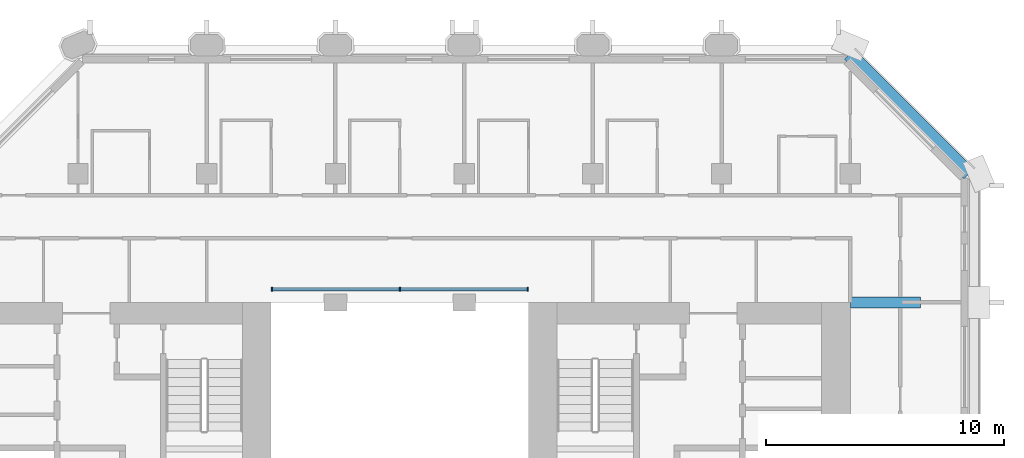
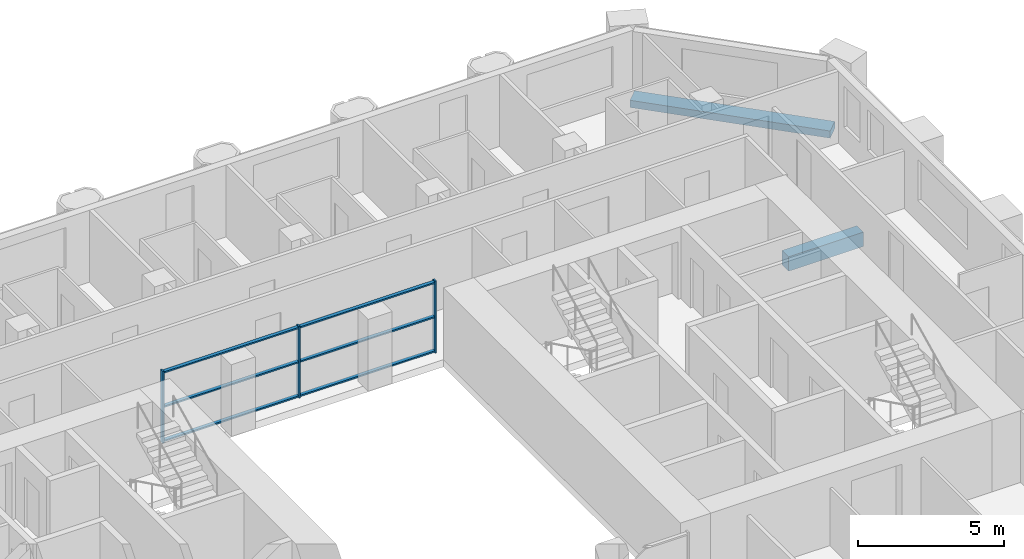
# One storey, part 4 of 13: 9 members, 2 beams, 1 element without a shape of its own.
"""IFC4 building model written with IfcOpenShell, lengths in metres."""

from ifc_helpers import new_model, si_unit, direction, frame, origin, origin_2d, place, context, subcontext, project, spatial, rectangle, extrude, material, material_profile, profile_set, type_object, element, aggregate, save


model = new_model("IFC4")

# Units and contexts
model_context = context("Model", 3, precision=1e-05, world=origin(), true_north=direction((0.0, 1.0)))
body_context = subcontext(model_context, "Body", "Model", "MODEL_VIEW")
ifc_project = project(units=[si_unit("LENGTHUNIT", "METRE"), si_unit("AREAUNIT", "SQUARE_METRE"), si_unit("VOLUMEUNIT", "CUBIC_METRE"), si_unit("PLANEANGLEUNIT", "RADIAN"), si_unit("MASSUNIT", "GRAM", prefix="KILO")], contexts=[model_context])

# Site, building, storey
site_placement = place(None, origin())
site = spatial("IfcSite", under=ifc_project, at=site_placement, CompositionType="ELEMENT")
building_placement = place(site_placement, origin())
building = spatial("IfcBuilding", under=site, at=building_placement, Name="Tabaq Tower and Sports Hall", CompositionType="ELEMENT")
storey_placement = place(building_placement, frame((0.0, 0.0, 159.39990234375)))
storey = spatial("IfcBuildingStorey", under=building, at=storey_placement, Name="L37", CompositionType="ELEMENT", Elevation=159.39990234375)

# Curtain wall, members
ifc_material_1 = material(Name="Aluminium alloy 6063-T6 framed glazing", Category="aluminium")
curtain_wall_type = type_object("IfcCurtainWallType", Name="CW1 curtain wall", PredefinedType="USERDEFINED", material=ifc_material_1)
curtain_wall_placement = place(storey_placement, origin())
curtain_wall = element("IfcCurtainWall", 1, at=curtain_wall_placement, inside=storey, type_object=curtain_wall_type, Name="Atrium glazing L37 N", ObjectType="ATRIUM ENCLOSURE", PredefinedType="USERDEFINED")
ifc_material_2 = material(Name="Aluminium alloy 6063-T6", Category="aluminium")
ifc_material_profile_1 = material_profile(ifc_material_2, rectangle(XDim=0.159912109375, YDim=0.06005859375, at=origin_2d()), Name="MULLION 160x60")
ifc_profile_set_1 = profile_set([ifc_material_profile_1], Name="Aluminium alloy 6063-T6")
member_type_1 = type_object("IfcMemberType", Name="CW1 mullion 160x60", PredefinedType="MULLION", material=ifc_profile_set_1)
member_1_placement = place(storey_placement, frame((18.929931640625, 32.949951171875, 0.0), z_axis=(0.0, 0.0, 1.0), x_axis=(0.0, 1.0, 0.0)))
member_1 = element("IfcMember", 2, at=member_1_placement, type_object=member_type_1, Name="CW1 mullion 1", PredefinedType="MULLION", context=body_context, shape_type="SweptSolid", body=[
    extrude(rectangle(XDim=0.159912109375, YDim=0.06005859375, at=origin_2d()), origin(), (0.0, 0.0, 1.0), 3.0),
])
member_2_placement = place(storey_placement, frame((24.300048828125, 32.949951171875, 0.0), z_axis=(0.0, 0.0, 1.0), x_axis=(0.0, 1.0, 0.0)))
member_2 = element("IfcMember", 3, at=member_2_placement, type_object=member_type_1, Name="CW1 mullion 2", PredefinedType="MULLION", context=body_context, shape_type="SweptSolid", body=[
    extrude(rectangle(XDim=0.159912109375, YDim=0.06005859375, at=origin_2d()), origin(), (0.0, 0.0, 1.0), 3.0),
])
member_3_placement = place(storey_placement, frame((29.669921875, 32.949951171875, 0.0), z_axis=(0.0, 0.0, 1.0), x_axis=(0.0, 1.0, 0.0)))
member_3 = element("IfcMember", 4, at=member_3_placement, type_object=member_type_1, Name="CW1 mullion 3", PredefinedType="MULLION", context=body_context, shape_type="SweptSolid", body=[
    extrude(rectangle(XDim=0.159912109375, YDim=0.06005859375, at=origin_2d()), origin(), (0.0, 0.0, 1.0), 3.0),
])
ifc_material_3 = material(Name="Aluminium alloy 6063-T6", Category="aluminium")
ifc_material_profile_2 = material_profile(ifc_material_3, rectangle(XDim=0.139892578125, YDim=0.06005859375, at=origin_2d()), Name="TRANSOM 140x60")
ifc_profile_set_2 = profile_set([ifc_material_profile_2], Name="Aluminium alloy 6063-T6")
member_type_2 = type_object("IfcMemberType", Name="CW1 transom 140x60", PredefinedType="USERDEFINED", material=ifc_profile_set_2)
member_4_placement = place(storey_placement, frame((18.9599609375, 32.949951171875, 0.070068359375), z_axis=(1.0, 0.0, 0.0), x_axis=(0.0, 1.0, 0.0)))
member_4 = element("IfcMember", 5, at=member_4_placement, type_object=member_type_2, Name="CW1 transom 1.1", ObjectType="TRANSOM", PredefinedType="USERDEFINED", context=body_context, shape_type="SweptSolid", body=[
    extrude(rectangle(XDim=0.139892578125, YDim=0.06005859375, at=origin_2d()), origin(), (0.0, 0.0, 1.0), 5.31005859375),
])
member_5_placement = place(storey_placement, frame((18.9599609375, 32.949951171875, 1.5), z_axis=(1.0, 0.0, 0.0), x_axis=(0.0, 1.0, 0.0)))
member_5 = element("IfcMember", 6, at=member_5_placement, type_object=member_type_2, Name="CW1 transom 1.2", ObjectType="TRANSOM", PredefinedType="USERDEFINED", context=body_context, shape_type="SweptSolid", body=[
    extrude(rectangle(XDim=0.139892578125, YDim=0.06005859375, at=origin_2d()), origin(), (0.0, 0.0, 1.0), 5.31005859375),
])
member_6_placement = place(storey_placement, frame((18.9599609375, 32.949951171875, 2.93017578125), z_axis=(1.0, 0.0, 0.0), x_axis=(0.0, 1.0, 0.0)))
member_6 = element("IfcMember", 7, at=member_6_placement, type_object=member_type_2, Name="CW1 transom 1.3", ObjectType="TRANSOM", PredefinedType="USERDEFINED", context=body_context, shape_type="SweptSolid", body=[
    extrude(rectangle(XDim=0.139892578125, YDim=0.06005859375, at=origin_2d()), origin(), (0.0, 0.0, 1.0), 5.31005859375),
])
member_7_placement = place(storey_placement, frame((24.330078125, 32.949951171875, 0.070068359375), z_axis=(1.0, 0.0, 0.0), x_axis=(0.0, 1.0, 0.0)))
member_7 = element("IfcMember", 8, at=member_7_placement, type_object=member_type_2, Name="CW1 transom 2.1", ObjectType="TRANSOM", PredefinedType="USERDEFINED", context=body_context, shape_type="SweptSolid", body=[
    extrude(rectangle(XDim=0.139892578125, YDim=0.06005859375, at=origin_2d()), origin(), (0.0, 0.0, 1.0), 5.309814453125),
])
member_8_placement = place(storey_placement, frame((24.330078125, 32.949951171875, 1.5), z_axis=(1.0, 0.0, 0.0), x_axis=(0.0, 1.0, 0.0)))
member_8 = element("IfcMember", 9, at=member_8_placement, type_object=member_type_2, Name="CW1 transom 2.2", ObjectType="TRANSOM", PredefinedType="USERDEFINED", context=body_context, shape_type="SweptSolid", body=[
    extrude(rectangle(XDim=0.139892578125, YDim=0.06005859375, at=origin_2d()), origin(), (0.0, 0.0, 1.0), 5.309814453125),
])
member_9_placement = place(storey_placement, frame((24.330078125, 32.949951171875, 2.93017578125), z_axis=(1.0, 0.0, 0.0), x_axis=(0.0, 1.0, 0.0)))
member_9 = element("IfcMember", 10, at=member_9_placement, type_object=member_type_2, Name="CW1 transom 2.3", ObjectType="TRANSOM", PredefinedType="USERDEFINED", context=body_context, shape_type="SweptSolid", body=[
    extrude(rectangle(XDim=0.139892578125, YDim=0.06005859375, at=origin_2d()), origin(), (0.0, 0.0, 1.0), 5.309814453125),
])
aggregate(curtain_wall, [member_1, member_2, member_3, member_4, member_5, member_6, member_7, member_8, member_9])

# Beams
ifc_material_4 = material(Name="Concrete C40/50", Category="concrete")
ifc_material_profile_3 = material_profile(ifc_material_4, rectangle(XDim=0.449951171875, YDim=0.60009765625, at=origin_2d()), Name="CB 450x600")
ifc_profile_set_3 = profile_set([ifc_material_profile_3], Name="Concrete C40/50")
beam_type_1 = type_object("IfcBeamType", Name="PT CANTILEVER BEAM CB 450x600 C40/50", PredefinedType="BEAM", material=ifc_profile_set_3)
beam_1_placement = place(storey_placement, frame((46.14990234375, 32.39990234375, -0.599853515625), z_axis=(-1.0, 0.0, 0.0), x_axis=(0.0, -1.0, 0.0)))
element("IfcBeam", 11, at=beam_1_placement, inside=storey, type_object=beam_type_1, Name="Cantilever Beam L37 E6 span 1", PredefinedType="BEAM", context=body_context, shape_type="SweptSolid", body=[
    extrude(rectangle(XDim=0.449951171875, YDim=0.60009765625, at=origin_2d()), origin(), (0.0, 0.0, 1.0), 2.949951171875),
])
ifc_material_5 = material(Name="Concrete C40/50", Category="concrete")
ifc_material_profile_4 = material_profile(ifc_material_5, rectangle(XDim=0.60009765625, YDim=0.300048828125, at=origin_2d()), Name="EB 600x300")
ifc_profile_set_4 = profile_set([ifc_material_profile_4], Name="Concrete C40/50")
beam_type_2 = type_object("IfcBeamType", Name="PT EDGE BEAM EB 600x300 C40/50", PredefinedType="SPANDREL", material=ifc_profile_set_4)
beam_2_placement = place(storey_placement, frame((48.1767578125, 37.799072265625, -0.14990234375), z_axis=(-0.707124002701, 0.707089559252, 0.0), x_axis=(-0.707089559252, -0.707124002701, 0.0)))
element("IfcBeam", 12, at=beam_2_placement, inside=storey, type_object=beam_type_2, Name="Edge Beam L37 4", PredefinedType="SPANDREL", context=body_context, shape_type="SweptSolid", body=[
    extrude(rectangle(XDim=0.60009765625, YDim=0.300048828125, at=origin_2d()), origin(), (0.0, 0.0, 1.0), 7.088134765625),
])

save(model, "model.ifc")
